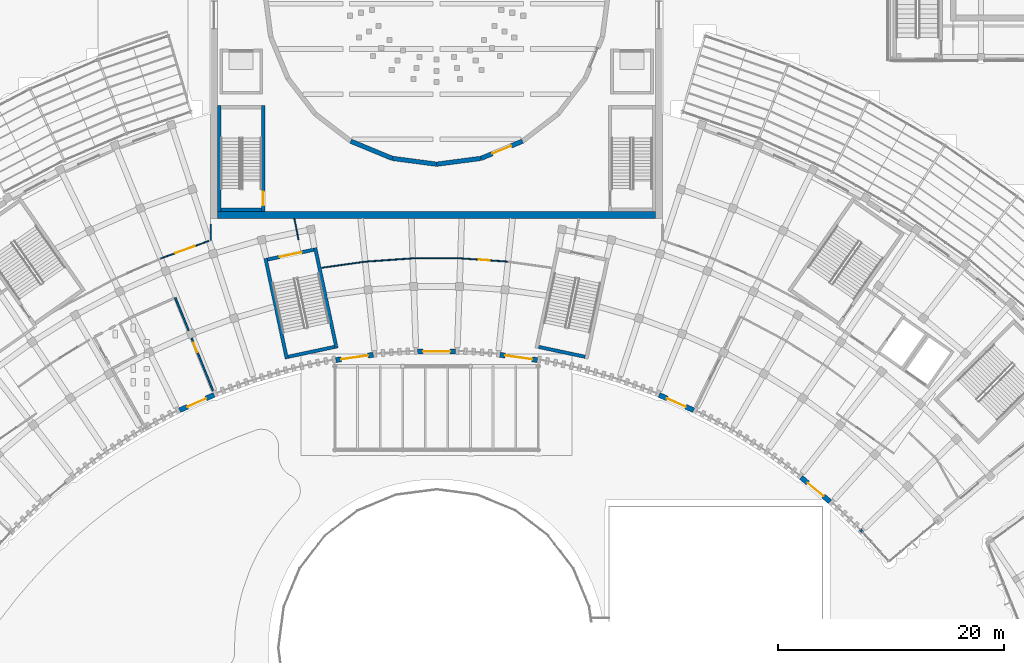
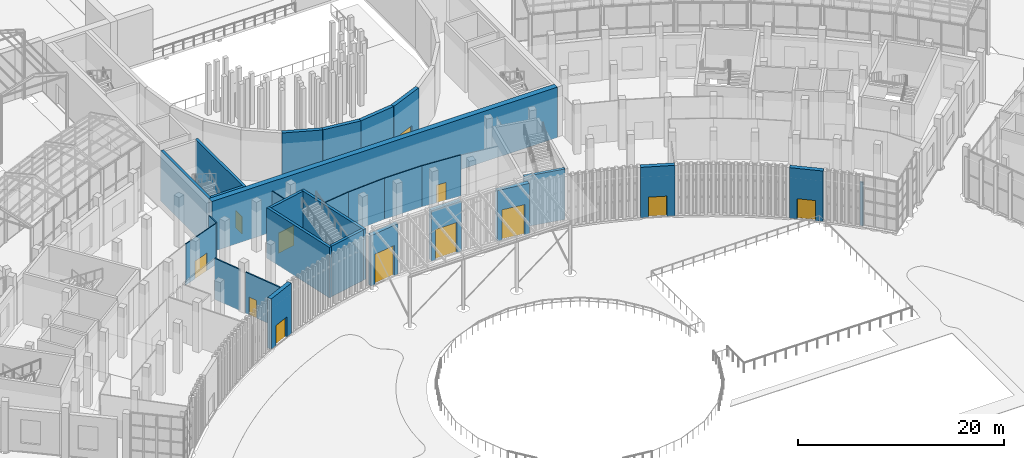
# One storey, part 92 of 155: 29 walls, 12 doors, 12 openings.
"""IFC4 building model written with IfcOpenShell, lengths in metres."""

from ifc_helpers import new_model, si_unit, direction, frame, frame_2d, origin, place, context, subcontext, project, spatial, rectangle, extrude, material, layer, layer_set, type_object, element, fill, save


model = new_model("IFC4")

# Units and contexts
model_context = context("Model", 3, precision=1e-05, world=origin(), true_north=direction((0.0, 1.0)))
body_context = subcontext(model_context, "Body", "Model", "MODEL_VIEW")
ifc_project = project(units=[si_unit("LENGTHUNIT", "METRE"), si_unit("AREAUNIT", "SQUARE_METRE"), si_unit("VOLUMEUNIT", "CUBIC_METRE"), si_unit("PLANEANGLEUNIT", "RADIAN"), si_unit("MASSUNIT", "GRAM", prefix="KILO")], contexts=[model_context])

# Site, building, storey
site_placement = place(None, origin())
site = spatial("IfcSite", under=ifc_project, at=site_placement, CompositionType="ELEMENT")
building_placement = place(site_placement, origin())
building = spatial("IfcBuilding", under=site, at=building_placement, Name="Lunette Opera House", CompositionType="ELEMENT")
storey_placement = place(building_placement, origin())
storey = spatial("IfcBuildingStorey", under=building, at=storey_placement, Name="L00", CompositionType="ELEMENT", Elevation=0.0)

# Wall
ifc_material_1 = material(Name="Plastered clay blockwork", Category="masonry")
ifc_layer_1 = layer(ifc_material_1, 0.14990234375)
ifc_layer_set_1 = layer_set([ifc_layer_1], Name="Plastered clay blockwork")
wall_type_1 = type_object("IfcWallType", Name="BLOCK PARTITION 150", PredefinedType="PARTITIONING", material=ifc_layer_set_1)
wall_1_placement = place(storey_placement, frame((74.0419921875, 54.06201171875, 0.0), z_axis=(0.0, 0.0, 1.0), x_axis=(-0.376177148794, 0.926547760628, 0.0)))
element("IfcWall", 1, at=wall_1_placement, inside=storey, type_object=wall_type_1, Name="Partition Public WC Foyer", PredefinedType="PARTITIONING", context=body_context, shape_type="SweptSolid", body=[
    extrude(rectangle(XDim=3.14501953125, YDim=0.14990234375, at=frame_2d((1.572509765625, 0.0))), origin(), (0.0, 0.0, 1.0), 4.8798828125),
])

# Wall, opening, door
wall_2_placement = place(storey_placement, frame((76.2060546875, 48.73388671875, 0.0), z_axis=(0.0, 0.0, 1.0), x_axis=(-0.37631220039, 0.926492918396, 0.0)))
wall_2 = element("IfcWall", 2, at=wall_2_placement, inside=storey, type_object=wall_type_1, Name="Partition Public WC Foyer", PredefinedType="PARTITIONING", context=body_context, shape_type="SweptSolid", body=[
    extrude(rectangle(XDim=5.04931640625, YDim=0.14990234375, at=frame_2d((2.524658203125, 0.0))), origin(), (0.0, 0.0, 1.0), 4.8798828125),
])
opening_1_placement = place(wall_2_placement, frame((3.696044921875, 0.0, 0.0)))
opening_1 = element("IfcOpeningElement", 3, at=opening_1_placement, cuts=wall_2, Name="Opening FC-D3021", PredefinedType="OPENING", context=body_context, shape_type="SweptSolid", body=[
    extrude(rectangle(XDim=0.89990234375, YDim=2.10009765625, at=frame_2d((0.449951171875, 1.050048828125))), frame((0.0, 0.0869140625, 0.0), z_axis=(0.0, -1.0, 0.0), x_axis=(1.0, 0.0, 0.0)), (0.0, 0.0, 1.0), 0.173828125),
])
ifc_material_2 = material(Name="Timber", Category="wood")
door_type_1 = type_object("IfcDoorType", Name="FLUSH DOOR 900 X 2100", OperationType="SINGLE_SWING_LEFT", PredefinedType="DOOR", material=ifc_material_2)
door_1_placement = place(opening_1_placement, origin())
door_1 = element("IfcDoor", 4, at=door_1_placement, inside=storey, type_object=door_type_1, Name="Public WC Foyer door", OperationType="SINGLE_SWING_RIGHT", OverallHeight=2.10009765625, OverallWidth=0.89990234375, PredefinedType="DOOR", context=body_context, shape_type="SweptSolid", body=[
    extrude(rectangle(XDim=0.89990234375, YDim=2.10009765625, at=frame_2d((0.449951171875, 1.050048828125))), frame((0.0, 0.02490234375, 0.0), z_axis=(0.0, -1.0, 0.0), x_axis=(1.0, 0.0, 0.0)), (0.0, 0.0, 1.0), 0.050048828125),
])
fill(opening_1, door_1)

# Wall
ifc_material_3 = material(Name="Insulated aluminium sandwich panel", Category="aluminium")
ifc_layer_2 = layer(ifc_material_3, 0.179931640625)
ifc_layer_set_2 = layer_set([ifc_layer_2], Name="Insulated aluminium sandwich panel")
wall_type_2 = type_object("IfcWallType", Name="CURTAIN WALL INFILL 180", PredefinedType="SOLIDWALL", material=ifc_layer_set_2)
wall_3_placement = place(storey_placement, frame((133.72607421875, 36.222900390625, 0.0), z_axis=(0.0, 0.0, 1.0), x_axis=(-0.668522807688, 0.743691640131, 0.0)))
element("IfcWall", 5, at=wall_3_placement, inside=storey, type_object=wall_type_2, Name="Curtain Wall Infill 180 IN7 L00", PredefinedType="SOLIDWALL", context=body_context, shape_type="SweptSolid", body=[
    extrude(rectangle(XDim=0.305419921875, YDim=0.179931640625, at=frame_2d((0.15283203125, 0.0))), origin(), (0.0, 0.0, 1.0), 5.14990234375),
])

# Wall, opening, door
ifc_material_4 = material(Name="Clinker brick", Category="masonry")
ifc_layer_3 = layer(ifc_material_4, 0.449951171875)
ifc_layer_set_3 = layer_set([ifc_layer_3], Name="Clinker brick")
wall_type_3 = type_object("IfcWallType", Name="ENTRANCE PORTAL WALL 450", PredefinedType="SOLIDWALL", material=ifc_layer_set_3)
wall_4_placement = place(storey_placement, frame((73.240966796875, 47.0048828125, 0.0), z_axis=(0.0, 0.0, 1.0), x_axis=(0.913501326736, 0.406835748247, 0.0)))
wall_4 = element("IfcWall", 6, at=wall_4_placement, inside=storey, type_object=wall_type_3, Name="Entrance Portal Wall 450 PW4 L00", PredefinedType="SOLIDWALL", context=body_context, shape_type="SweptSolid", body=[
    extrude(rectangle(XDim=3.345458984375, YDim=0.449951171875, at=frame_2d((1.6728515625, 0.0))), origin(), (0.0, 0.0, 1.0), 6.0),
])
opening_2_placement = place(wall_4_placement, frame((0.77294921875, 0.0, 0.0)))
opening_2 = element("IfcOpeningElement", 7, at=opening_2_placement, cuts=wall_4, Name="Opening FC-D2002", PredefinedType="OPENING", context=body_context, shape_type="SweptSolid", body=[
    extrude(rectangle(XDim=1.800048828125, YDim=2.39990234375, at=frame_2d((0.89990234375, 1.199951171875))), frame((0.0, 0.237060546875, 0.0), z_axis=(0.0, -1.0, 0.0), x_axis=(1.0, 0.0, 0.0)), (0.0, 0.0, 1.0), 0.473876953125),
])
ifc_material_5 = material(Name="Powder-coated steel", Category="steel")
door_type_2 = type_object("IfcDoorType", Name="EXIT DOUBLE DOOR 1800 X 2400", OperationType="DOUBLE_DOOR_DOUBLE_SWING", PredefinedType="DOOR", material=ifc_material_5)
door_2_placement = place(opening_2_placement, origin())
door_2 = element("IfcDoor", 8, at=door_2_placement, inside=storey, type_object=door_type_2, Name="Exit Double Door 1800 X 2400 PW4 L00", OperationType="DOUBLE_DOOR_DOUBLE_SWING", OverallHeight=2.39990234375, OverallWidth=1.800048828125, PredefinedType="DOOR", context=body_context, shape_type="SweptSolid", body=[
    extrude(rectangle(XDim=1.800048828125, YDim=2.39990234375, at=frame_2d((0.89990234375, 1.199951171875))), frame((0.0, 0.02490234375, 0.0), z_axis=(0.0, -1.0, 0.0), x_axis=(1.0, 0.0, 0.0)), (0.0, 0.0, 1.0), 0.050048828125),
])
fill(opening_2, door_2)

wall_5_placement = place(storey_placement, frame((87.0791015625, 51.45703125, 0.0), z_axis=(0.0, 0.0, 1.0), x_axis=(0.9902493448, 0.13930626376, 0.0)))
wall_5 = element("IfcWall", 9, at=wall_5_placement, inside=storey, type_object=wall_type_3, Name="Entrance Portal Wall 450 PW2 L00", PredefinedType="SOLIDWALL", context=body_context, shape_type="SweptSolid", body=[
    extrude(rectangle(XDim=3.345703125, YDim=0.449951171875, at=frame_2d((1.6728515625, 0.0))), origin(), (0.0, 0.0, 1.0), 6.0),
])
opening_3_placement = place(wall_5_placement, frame((0.472900390625, 0.0, 0.0)))
opening_3 = element("IfcOpeningElement", 10, at=opening_3_placement, cuts=wall_5, Name="Opening FC-D2003", PredefinedType="OPENING", context=body_context, shape_type="SweptSolid", body=[
    extrude(rectangle(XDim=2.39990234375, YDim=3.60009765625, at=frame_2d((1.199951171875, 1.800048828125))), frame((0.0, 0.237060546875, 0.0), z_axis=(0.0, -1.0, 0.0), x_axis=(1.0, 0.0, 0.0)), (0.0, 0.0, 1.0), 0.473876953125),
])
ifc_material_6 = material(Name="Aluminium", Category="aluminium")
door_type_3 = type_object("IfcDoorType", Name="ENTRANCE DOUBLE DOOR 2400 X 3600", OperationType="DOUBLE_DOOR_DOUBLE_SWING", PredefinedType="DOOR", material=ifc_material_6)
door_3_placement = place(opening_3_placement, origin())
door_3 = element("IfcDoor", 11, at=door_3_placement, inside=storey, type_object=door_type_3, Name="Entrance Double Door 2400 X 3600 PW2 L00", OperationType="DOUBLE_DOOR_DOUBLE_SWING", OverallHeight=3.60009765625, OverallWidth=2.39990234375, PredefinedType="DOOR", context=body_context, shape_type="SweptSolid", body=[
    extrude(rectangle(XDim=2.39990234375, YDim=3.60009765625, at=frame_2d((1.199951171875, 1.800048828125))), frame((0.0, 0.02490234375, 0.0), z_axis=(0.0, -1.0, 0.0), x_axis=(1.0, 0.0, 0.0)), (0.0, 0.0, 1.0), 0.050048828125),
])
fill(opening_3, door_3)

wall_6_placement = place(storey_placement, frame((94.326904296875, 52.197998046875, 0.0), z_axis=(0.0, 0.0, 1.0), x_axis=(1.0, 0.0, 0.0)))
wall_6 = element("IfcWall", 12, at=wall_6_placement, inside=storey, type_object=wall_type_3, Name="Entrance Portal Wall 450 PW1 L00", PredefinedType="SOLIDWALL", context=body_context, shape_type="SweptSolid", body=[
    extrude(rectangle(XDim=3.34619140625, YDim=0.449951171875, at=frame_2d((1.673095703125, 0.0))), origin(), (0.0, 0.0, 1.0), 6.0),
])
opening_4_placement = place(wall_6_placement, frame((0.472900390625, 0.0, 0.0)))
opening_4 = element("IfcOpeningElement", 13, at=opening_4_placement, cuts=wall_6, Name="Opening FC-D2004", PredefinedType="OPENING", context=body_context, shape_type="SweptSolid", body=[
    extrude(rectangle(XDim=2.39990234375, YDim=3.60009765625, at=frame_2d((1.199951171875, 1.800048828125))), frame((0.0, 0.237060546875, 0.0), z_axis=(0.0, -1.0, 0.0), x_axis=(1.0, 0.0, 0.0)), (0.0, 0.0, 1.0), 0.473876953125),
])
door_4_placement = place(opening_4_placement, origin())
door_4 = element("IfcDoor", 14, at=door_4_placement, inside=storey, type_object=door_type_3, Name="Entrance Double Door 2400 X 3600 PW1 L00", OperationType="DOUBLE_DOOR_DOUBLE_SWING", OverallHeight=3.60009765625, OverallWidth=2.39990234375, PredefinedType="DOOR", context=body_context, shape_type="SweptSolid", body=[
    extrude(rectangle(XDim=2.39990234375, YDim=3.60009765625, at=frame_2d((1.199951171875, 1.800048828125))), frame((0.0, 0.02490234375, 0.0), z_axis=(0.0, -1.0, 0.0), x_axis=(1.0, 0.0, 0.0)), (0.0, 0.0, 1.0), 0.050048828125),
])
fill(opening_4, door_4)

wall_7_placement = place(storey_placement, frame((101.60791015625, 51.923095703125, 0.0), z_axis=(0.0, 0.0, 1.0), x_axis=(0.9902493448, -0.13930626376, 0.0)))
wall_7 = element("IfcWall", 15, at=wall_7_placement, inside=storey, type_object=wall_type_3, Name="Entrance Portal Wall 450 PW3 L00", PredefinedType="SOLIDWALL", context=body_context, shape_type="SweptSolid", body=[
    extrude(rectangle(XDim=3.345703125, YDim=0.449951171875, at=frame_2d((1.6728515625, 0.0))), origin(), (0.0, 0.0, 1.0), 6.0),
])
opening_5_placement = place(wall_7_placement, frame((0.472900390625, 0.0, 0.0)))
opening_5 = element("IfcOpeningElement", 16, at=opening_5_placement, cuts=wall_7, Name="Opening FC-D2005", PredefinedType="OPENING", context=body_context, shape_type="SweptSolid", body=[
    extrude(rectangle(XDim=2.39990234375, YDim=3.60009765625, at=frame_2d((1.199951171875, 1.800048828125))), frame((0.0, 0.237060546875, 0.0), z_axis=(0.0, -1.0, 0.0), x_axis=(1.0, 0.0, 0.0)), (0.0, 0.0, 1.0), 0.473876953125),
])
door_5_placement = place(opening_5_placement, origin())
door_5 = element("IfcDoor", 17, at=door_5_placement, inside=storey, type_object=door_type_3, Name="Entrance Double Door 2400 X 3600 PW3 L00", OperationType="DOUBLE_DOOR_DOUBLE_SWING", OverallHeight=3.60009765625, OverallWidth=2.39990234375, PredefinedType="DOOR", context=body_context, shape_type="SweptSolid", body=[
    extrude(rectangle(XDim=2.39990234375, YDim=3.60009765625, at=frame_2d((1.199951171875, 1.800048828125))), frame((0.0, 0.02490234375, 0.0), z_axis=(0.0, -1.0, 0.0), x_axis=(1.0, 0.0, 0.0)), (0.0, 0.0, 1.0), 0.050048828125),
])
fill(opening_5, door_5)

wall_8_placement = place(storey_placement, frame((115.702880859375, 48.365966796875, 0.0), z_axis=(0.0, 0.0, 1.0), x_axis=(0.913501326736, -0.406835748247, 0.0)))
wall_8 = element("IfcWall", 18, at=wall_8_placement, inside=storey, type_object=wall_type_3, Name="Entrance Portal Wall 450 PW5 L00", PredefinedType="SOLIDWALL", context=body_context, shape_type="SweptSolid", body=[
    extrude(rectangle(XDim=3.345458984375, YDim=0.449951171875, at=frame_2d((1.6728515625, 0.0))), origin(), (0.0, 0.0, 1.0), 6.0),
])
opening_6_placement = place(wall_8_placement, frame((0.77294921875, 0.0, 0.0)))
opening_6 = element("IfcOpeningElement", 19, at=opening_6_placement, cuts=wall_8, Name="Opening FC-D2006", PredefinedType="OPENING", context=body_context, shape_type="SweptSolid", body=[
    extrude(rectangle(XDim=1.800048828125, YDim=2.39990234375, at=frame_2d((0.89990234375, 1.199951171875))), frame((0.0, 0.237060546875, 0.0), z_axis=(0.0, -1.0, 0.0), x_axis=(1.0, 0.0, 0.0)), (0.0, 0.0, 1.0), 0.473876953125),
])
door_6_placement = place(opening_6_placement, origin())
door_6 = element("IfcDoor", 20, at=door_6_placement, inside=storey, type_object=door_type_2, Name="Exit Double Door 1800 X 2400 PW5 L00", OperationType="DOUBLE_DOOR_DOUBLE_SWING", OverallHeight=2.39990234375, OverallWidth=1.800048828125, PredefinedType="DOOR", context=body_context, shape_type="SweptSolid", body=[
    extrude(rectangle(XDim=1.800048828125, YDim=2.39990234375, at=frame_2d((0.89990234375, 1.199951171875))), frame((0.0, 0.02490234375, 0.0), z_axis=(0.0, -1.0, 0.0), x_axis=(1.0, 0.0, 0.0)), (0.0, 0.0, 1.0), 0.050048828125),
])
fill(opening_6, door_6)

wall_9_placement = place(storey_placement, frame((128.27099609375, 41.06103515625, 0.0), z_axis=(0.0, 0.0, 1.0), x_axis=(0.766111561279, -0.642707612896, 0.0)))
wall_9 = element("IfcWall", 21, at=wall_9_placement, inside=storey, type_object=wall_type_3, Name="Entrance Portal Wall 450 PW7 L00", PredefinedType="SOLIDWALL", context=body_context, shape_type="SweptSolid", body=[
    extrude(rectangle(XDim=3.345458984375, YDim=0.449951171875, at=frame_2d((1.6728515625, 0.0))), origin(), (0.0, 0.0, 1.0), 6.0),
])
opening_7_placement = place(wall_9_placement, frame((0.77294921875, 0.0, 0.0)))
opening_7 = element("IfcOpeningElement", 22, at=opening_7_placement, cuts=wall_9, Name="Opening FC-D2007", PredefinedType="OPENING", context=body_context, shape_type="SweptSolid", body=[
    extrude(rectangle(XDim=1.800048828125, YDim=2.39990234375, at=frame_2d((0.89990234375, 1.199951171875))), frame((0.0, 0.237060546875, 0.0), z_axis=(0.0, -1.0, 0.0), x_axis=(1.0, 0.0, 0.0)), (0.0, 0.0, 1.0), 0.473876953125),
])
door_7_placement = place(opening_7_placement, origin())
door_7 = element("IfcDoor", 23, at=door_7_placement, inside=storey, type_object=door_type_2, Name="Exit Double Door 1800 X 2400 PW7 L00", OperationType="DOUBLE_DOOR_DOUBLE_SWING", OverallHeight=2.39990234375, OverallWidth=1.800048828125, PredefinedType="DOOR", context=body_context, shape_type="SweptSolid", body=[
    extrude(rectangle(XDim=1.800048828125, YDim=2.39990234375, at=frame_2d((0.89990234375, 1.199951171875))), frame((0.0, 0.02490234375, 0.0), z_axis=(0.0, -1.0, 0.0), x_axis=(1.0, 0.0, 0.0)), (0.0, 0.0, 1.0), 0.050048828125),
])
fill(opening_7, door_7)

# Walls
ifc_material_7 = material(Name="Concrete C35/45", Category="concrete")
ifc_layer_4 = layer(ifc_material_7, 0.300048828125)
ifc_layer_set_4 = layer_set([ifc_layer_4], Name="Concrete C35/45")
wall_type_4 = type_object("IfcWallType", Name="RC STAIR ENCLOSURE WALL 300", PredefinedType="SOLIDWALL", material=ifc_layer_set_4)
wall_10_placement = place(storey_placement, frame((82.85400390625, 51.7470703125, 0.0), z_axis=(0.0, 0.0, 1.0), x_axis=(0.978153236239, 0.207885176084, 0.0)))
element("IfcWall", 24, at=wall_10_placement, inside=storey, type_object=wall_type_4, Name="GS1 enclosure wall 1", PredefinedType="SOLIDWALL", context=body_context, shape_type="SweptSolid", body=[
    extrude(rectangle(XDim=4.19970703125, YDim=0.300048828125, at=frame_2d((2.099853515625, 0.0))), origin(), (0.0, 0.0, 1.0), 6.0),
])
wall_11_placement = place(storey_placement, frame((87.139892578125, 52.5048828125, 0.0), z_axis=(0.0, 0.0, 1.0), x_axis=(-0.207874476801, 0.978155510077, 0.0)))
element("IfcWall", 25, at=wall_11_placement, inside=storey, type_object=wall_type_4, Name="GS1 enclosure wall 2", PredefinedType="SOLIDWALL", context=body_context, shape_type="SweptSolid", body=[
    extrude(rectangle(XDim=9.100830078125, YDim=0.300048828125, at=frame_2d((4.55029296875, 0.0))), origin(), (0.0, 0.0, 1.0), 6.0),
])

# Wall, opening, door
wall_12_placement = place(storey_placement, frame((85.133056640625, 61.22900390625, 0.0), z_axis=(0.0, 0.0, 1.0), x_axis=(-0.978155748334, -0.207873355681, 0.0)))
wall_12 = element("IfcWall", 26, at=wall_12_placement, inside=storey, type_object=wall_type_4, Name="GS1 enclosure wall 3", PredefinedType="SOLIDWALL", context=body_context, shape_type="SweptSolid", body=[
    extrude(rectangle(XDim=4.199951171875, YDim=0.300048828125, at=frame_2d((2.10009765625, 0.0))), origin(), (0.0, 0.0, 1.0), 6.0),
])
opening_8_placement = place(wall_12_placement, frame((1.10009765625, 0.0, 0.0)))
opening_8 = element("IfcOpeningElement", 27, at=opening_8_placement, cuts=wall_12, Name="Opening FC-D7001", PredefinedType="OPENING", context=body_context, shape_type="SweptSolid", body=[
    extrude(rectangle(XDim=2.0, YDim=2.39990234375, at=frame_2d((1.0, 1.199951171875))), frame((0.0, 0.162109375, 0.0), z_axis=(0.0, -1.0, 0.0), x_axis=(1.0, 0.0, 0.0)), (0.0, 0.0, 1.0), 0.323974609375),
])
ifc_material_8 = material(Name="Glass", Category="glass")
door_type_4 = type_object("IfcDoorType", Name="GRAND STAIR DOOR 2000 X 2400", OperationType="DOUBLE_DOOR_SINGLE_SWING", PredefinedType="DOOR", material=ifc_material_8)
door_8_placement = place(opening_8_placement, origin())
door_8 = element("IfcDoor", 28, at=door_8_placement, inside=storey, type_object=door_type_4, Name="GS1 stair door", OperationType="DOUBLE_DOOR_SINGLE_SWING", OverallHeight=2.39990234375, OverallWidth=2.0, PredefinedType="DOOR", context=body_context, shape_type="SweptSolid", body=[
    extrude(rectangle(XDim=2.0, YDim=2.39990234375, at=frame_2d((1.0, 1.199951171875))), frame((0.0, 0.02490234375, 0.0), z_axis=(0.0, -1.0, 0.0), x_axis=(1.0, 0.0, 0.0)), (0.0, 0.0, 1.0), 0.050048828125),
])
fill(opening_8, door_8)

# Walls
wall_13_placement = place(storey_placement, frame((80.846923828125, 60.470947265625, 0.0), z_axis=(0.0, 0.0, 1.0), x_axis=(0.207905598736, -0.978148895626, 0.0)))
element("IfcWall", 29, at=wall_13_placement, inside=storey, type_object=wall_type_4, Name="GS1 enclosure wall 4", PredefinedType="SOLIDWALL", context=body_context, shape_type="SweptSolid", body=[
    extrude(rectangle(XDim=9.100830078125, YDim=0.300048828125, at=frame_2d((4.55029296875, 0.0))), origin(), (0.0, 0.0, 1.0), 6.0),
])
wall_14_placement = place(storey_placement, frame((105.0380859375, 52.6201171875, 0.0), z_axis=(0.0, 0.0, 1.0), x_axis=(0.978153236239, -0.207885176084, 0.0)))
element("IfcWall", 30, at=wall_14_placement, inside=storey, type_object=wall_type_4, Name="GS2 enclosure wall 1", PredefinedType="SOLIDWALL", context=body_context, shape_type="SweptSolid", body=[
    extrude(rectangle(XDim=4.19970703125, YDim=0.300048828125, at=frame_2d((2.099853515625, 0.0))), origin(), (0.0, 0.0, 1.0), 6.0),
])

# Wall, opening, door
wall_15_placement = place(storey_placement, frame((80.64990234375, 64.60009765625, 0.0), z_axis=(0.0, 0.0, 1.0), x_axis=(0.0, 1.0, 0.0)))
wall_15 = element("IfcWall", 31, at=wall_15_placement, inside=storey, type_object=wall_type_4, Name="ST7 enclosure wall 1", PredefinedType="SOLIDWALL", context=body_context, shape_type="SweptSolid", body=[
    extrude(rectangle(XDim=9.39990234375, YDim=0.300048828125, at=frame_2d((4.699951171875, 0.0))), origin(), (0.0, 0.0, 1.0), 6.0),
])
opening_9_placement = place(wall_15_placement, frame((0.56005859375, 0.0, 0.0)))
opening_9 = element("IfcOpeningElement", 32, at=opening_9_placement, cuts=wall_15, Name="Opening AU-D7008", PredefinedType="OPENING", context=body_context, shape_type="SweptSolid", body=[
    extrude(rectangle(XDim=1.199951171875, YDim=2.10009765625, at=frame_2d((0.60009765625, 1.050048828125))), frame((0.0, 0.162109375, 0.0), z_axis=(0.0, -1.0, 0.0), x_axis=(1.0, 0.0, 0.0)), (0.0, 0.0, 1.0), 0.323974609375),
])
ifc_material_9 = material(Name="Steel", Category="steel")
door_type_5 = type_object("IfcDoorType", Name="FIRE DOOR 1200 X 2100", OperationType="SINGLE_SWING_LEFT", PredefinedType="DOOR", material=ifc_material_9)
door_9_placement = place(opening_9_placement, origin())
door_9 = element("IfcDoor", 33, at=door_9_placement, inside=storey, type_object=door_type_5, Name="ST7 stair door", OperationType="SINGLE_SWING_LEFT", OverallHeight=2.10009765625, OverallWidth=1.199951171875, PredefinedType="DOOR", context=body_context, shape_type="SweptSolid", body=[
    extrude(rectangle(XDim=1.199951171875, YDim=2.10009765625, at=frame_2d((0.60009765625, 1.050048828125))), frame((0.0, 0.02490234375, 0.0), z_axis=(0.0, -1.0, 0.0), x_axis=(1.0, 0.0, 0.0)), (0.0, 0.0, 1.0), 0.050048828125),
])
fill(opening_9, door_9)

# Walls
wall_16_placement = place(storey_placement, frame((76.75, 74.0, 0.0), z_axis=(0.0, 0.0, 1.0), x_axis=(0.0, -1.0, 0.0)))
element("IfcWall", 34, at=wall_16_placement, inside=storey, type_object=wall_type_4, Name="ST7 enclosure wall 3", PredefinedType="SOLIDWALL", context=body_context, shape_type="SweptSolid", body=[
    extrude(rectangle(XDim=9.39990234375, YDim=0.300048828125, at=frame_2d((4.699951171875, 0.0))), origin(), (0.0, 0.0, 1.0), 6.0),
])
wall_17_placement = place(storey_placement, frame((76.89990234375, 64.75, 0.0), z_axis=(0.0, 0.0, 1.0), x_axis=(1.0, 0.0, 0.0)))
element("IfcWall", 35, at=wall_17_placement, inside=storey, type_object=wall_type_4, Name="ST7 enclosure wall 4", PredefinedType="SOLIDWALL", context=body_context, shape_type="SweptSolid", body=[
    extrude(rectangle(XDim=3.60009765625, YDim=0.300048828125, at=frame_2d((1.800048828125, 0.0))), origin(), (0.0, 0.0, 1.0), 6.0),
])
ifc_material_10 = material(Name="Concrete C35/45", Category="concrete")
ifc_layer_5 = layer(ifc_material_10, 0.39990234375)
ifc_layer_set_5 = layer_set([ifc_layer_5], Name="Concrete C35/45")
wall_type_5 = type_object("IfcWallType", Name="RC WALL 400", PredefinedType="SHEAR", material=ifc_layer_set_5)
wall_18_placement = place(storey_placement, frame((88.39892578125, 70.8349609375, 0.0), z_axis=(0.0, 0.0, 1.0), x_axis=(0.923868391388, -0.38271032831, 0.0)))
element("IfcWall", 36, at=wall_18_placement, inside=storey, type_object=wall_type_5, Name="wall-AU-L00-HW06", PredefinedType="SHEAR", context=body_context, shape_type="SweptSolid", body=[
    extrude(rectangle(XDim=3.96923828125, YDim=0.39990234375, at=frame_2d((1.984619140625, 0.0))), origin(), (0.0, 0.0, 1.0), 6.0),
])
for number, where, z_axis, x_axis, name in (
    (37, (92.06591796875, 69.31591796875, 0.0), (0.0, 0.0, 1.0), (0.991448430824, -0.13049907669, 0.0), "wall-AU-L00-HW07"),
    (38, (96.0, 68.798095703125, 0.0), (0.0, 0.0, 1.0), (0.991448430824, 0.13049907669, 0.0), "wall-AU-L00-HW08"),
):
    element("IfcWall", number, at=place(storey_placement, frame(where, z_axis=z_axis, x_axis=x_axis)), inside=storey, type_object=wall_type_5, Name=name, PredefinedType="SHEAR", context=body_context, shape_type="SweptSolid", body=[
        extrude(rectangle(XDim=3.968017578125, YDim=0.39990234375, at=frame_2d((1.98388671875, 0.0))), origin(), (0.0, 0.0, 1.0), 6.0),
    ])

# Wall, opening, door
wall_19_placement = place(storey_placement, frame((99.93408203125, 69.31591796875, 0.0), z_axis=(0.0, 0.0, 1.0), x_axis=(0.923868391388, 0.38271032831, 0.0)))
wall_19 = element("IfcWall", 39, at=wall_19_placement, inside=storey, type_object=wall_type_5, Name="wall-AU-L00-HW09", PredefinedType="SHEAR", context=body_context, shape_type="SweptSolid", body=[
    extrude(rectangle(XDim=3.96923828125, YDim=0.39990234375, at=frame_2d((1.984619140625, 0.0))), origin(), (0.0, 0.0, 1.0), 6.0),
])
opening_10_placement = place(wall_19_placement, frame((1.0849609375, 0.0, 0.0)))
opening_10 = element("IfcOpeningElement", 40, at=opening_10_placement, cuts=wall_19, Name="Opening AU-D3006", PredefinedType="OPENING", context=body_context, shape_type="SweptSolid", body=[
    extrude(rectangle(XDim=1.800048828125, YDim=2.10009765625, at=frame_2d((0.89990234375, 1.050048828125))), frame((0.0, 0.2119140625, 0.0), z_axis=(0.0, -1.0, 0.0), x_axis=(1.0, 0.0, 0.0)), (0.0, 0.0, 1.0), 0.423828125),
])
ifc_material_11 = material(Name="Timber", Category="wood")
door_type_6 = type_object("IfcDoorType", Name="SOUND LOCK DOOR 1800 X 2100", OperationType="DOUBLE_DOOR_SINGLE_SWING", PredefinedType="DOOR", material=ifc_material_11)
door_10_placement = place(opening_10_placement, origin())
door_10 = element("IfcDoor", 41, at=door_10_placement, inside=storey, type_object=door_type_6, Name="Auditorium Stalls door", OperationType="DOUBLE_DOOR_SINGLE_SWING", OverallHeight=2.10009765625, OverallWidth=1.800048828125, PredefinedType="DOOR", context=body_context, shape_type="SweptSolid", body=[
    extrude(rectangle(XDim=1.800048828125, YDim=2.10009765625, at=frame_2d((0.89990234375, 1.050048828125))), frame((0.0, 0.02490234375, 0.0), z_axis=(0.0, -1.0, 0.0), x_axis=(1.0, 0.0, 0.0)), (0.0, 0.0, 1.0), 0.050048828125),
])
fill(opening_10, door_10)

# Wall
ifc_material_12 = material(Name="Concrete C35/45", Category="concrete")
ifc_layer_6 = layer(ifc_material_12, 0.60009765625)
ifc_layer_set_6 = layer_set([ifc_layer_6], Name="Concrete C35/45")
wall_type_6 = type_object("IfcWallType", Name="RC WALL 600", PredefinedType="SHEAR", material=ifc_layer_set_6)
wall_20_placement = place(storey_placement, frame((76.60009765625, 64.300048828125, 0.0), z_axis=(0.0, 0.0, 1.0), x_axis=(1.0, 0.0, 0.0)))
element("IfcWall", 42, at=wall_20_placement, inside=storey, type_object=wall_type_6, Name="wall-AU-L00-WS", PredefinedType="SHEAR", context=body_context, shape_type="SweptSolid", body=[
    extrude(rectangle(XDim=38.7998046875, YDim=0.60009765625, at=frame_2d((19.39990234375, 0.0))), origin(), (0.0, 0.0, 1.0), 6.0),
])

# Wall, opening, door
ifc_material_13 = material(Name="Gypsum board on steel studs", Category="steel")
ifc_layer_7 = layer(ifc_material_13, 0.10009765625)
ifc_layer_set_7 = layer_set([ifc_layer_7], Name="Gypsum board on steel studs")
wall_type_7 = type_object("IfcWallType", Name="STUD PARTITION 100", PredefinedType="PARTITIONING", material=ifc_layer_set_7)
wall_21_placement = place(storey_placement, frame((75.85205078125, 62.009033203125, 0.0), z_axis=(0.0, 0.0, 1.0), x_axis=(-0.939639825715, -0.342165161771, 0.0)))
wall_21 = element("IfcWall", 43, at=wall_21_placement, inside=storey, type_object=wall_type_7, Name="Partition Main Foyer", PredefinedType="PARTITIONING", context=body_context, shape_type="SweptSolid", body=[
    extrude(rectangle(XDim=4.55078125, YDim=0.10009765625, at=frame_2d((2.275390625, 0.0))), origin(), (0.0, 0.0, 1.0), 4.8798828125),
])
opening_11_placement = place(wall_21_placement, frame((1.375, 0.0, 0.0)))
opening_11 = element("IfcOpeningElement", 44, at=opening_11_placement, cuts=wall_21, Name="Opening FC-D3015", PredefinedType="OPENING", context=body_context, shape_type="SweptSolid", body=[
    extrude(rectangle(XDim=1.800048828125, YDim=2.10009765625, at=frame_2d((0.89990234375, 1.050048828125))), frame((0.0, 0.06201171875, 0.0), z_axis=(0.0, -1.0, 0.0), x_axis=(1.0, 0.0, 0.0)), (0.0, 0.0, 1.0), 0.1240234375),
])
ifc_material_14 = material(Name="Timber", Category="wood")
door_type_7 = type_object("IfcDoorType", Name="DOUBLE FLUSH DOOR 1800 X 2100", OperationType="DOUBLE_DOOR_SINGLE_SWING", PredefinedType="DOOR", material=ifc_material_14)
door_11_placement = place(opening_11_placement, origin())
door_11 = element("IfcDoor", 45, at=door_11_placement, inside=storey, type_object=door_type_7, Name="Cloakroom door", OperationType="DOUBLE_DOOR_SINGLE_SWING", OverallHeight=2.10009765625, OverallWidth=1.800048828125, PredefinedType="DOOR", context=body_context, shape_type="SweptSolid", body=[
    extrude(rectangle(XDim=1.800048828125, YDim=2.10009765625, at=frame_2d((0.89990234375, 1.050048828125))), frame((0.0, 0.02490234375, 0.0), z_axis=(0.0, -1.0, 0.0), x_axis=(1.0, 0.0, 0.0)), (0.0, 0.0, 1.0), 0.050048828125),
])
fill(opening_11, door_11)

# Wall
wall_22_placement = place(storey_placement, frame((89.676025390625, 60.1689453125, 0.0), z_axis=(0.0, 0.0, 1.0), x_axis=(0.997574727451, 0.069603614502, 0.0)))
element("IfcWall", 46, at=wall_22_placement, inside=storey, type_object=wall_type_7, Name="Partition Stalls Entrance Hall", PredefinedType="PARTITIONING", context=body_context, shape_type="SweptSolid", body=[
    extrude(rectangle(XDim=4.22314453125, YDim=0.10009765625, at=frame_2d((2.111572265625, 0.0))), origin(), (0.0, 0.0, 1.0), 4.8798828125),
])

# Wall, opening, door
wall_23_placement = place(storey_placement, frame((98.111083984375, 60.462890625, 0.0), z_axis=(0.0, 0.0, 1.0), x_axis=(0.997574727451, -0.069603614502, 0.0)))
wall_23 = element("IfcWall", 47, at=wall_23_placement, inside=storey, type_object=wall_type_7, Name="Partition Stalls Entrance Hall", PredefinedType="PARTITIONING", context=body_context, shape_type="SweptSolid", body=[
    extrude(rectangle(XDim=4.22314453125, YDim=0.10009765625, at=frame_2d((2.111572265625, 0.0))), origin(), (0.0, 0.0, 1.0), 4.8798828125),
])
opening_12_placement = place(wall_23_placement, frame((1.612060546875, 0.0, 0.0)))
opening_12 = element("IfcOpeningElement", 48, at=opening_12_placement, cuts=wall_23, Name="Opening FC-D3020", PredefinedType="OPENING", context=body_context, shape_type="SweptSolid", body=[
    extrude(rectangle(XDim=1.0, YDim=2.10009765625, at=frame_2d((0.5, 1.050048828125))), frame((0.0, 0.06201171875, 0.0), z_axis=(0.0, -1.0, 0.0), x_axis=(1.0, 0.0, 0.0)), (0.0, 0.0, 1.0), 0.1240234375),
])
ifc_material_15 = material(Name="Timber", Category="wood")
door_type_8 = type_object("IfcDoorType", Name="FLUSH DOOR 1000 X 2100", OperationType="SINGLE_SWING_LEFT", PredefinedType="DOOR", material=ifc_material_15)
door_12_placement = place(opening_12_placement, origin())
door_12 = element("IfcDoor", 49, at=door_12_placement, inside=storey, type_object=door_type_8, Name="Stalls Entrance Hall door", OperationType="SINGLE_SWING_RIGHT", OverallHeight=2.10009765625, OverallWidth=1.0, PredefinedType="DOOR", context=body_context, shape_type="SweptSolid", body=[
    extrude(rectangle(XDim=1.0, YDim=2.10009765625, at=frame_2d((0.5, 1.050048828125))), frame((0.0, 0.02490234375, 0.0), z_axis=(0.0, -1.0, 0.0), x_axis=(1.0, 0.0, 0.0)), (0.0, 0.0, 1.0), 0.050048828125),
])
fill(opening_12, door_12)

# Walls
wall_24_placement = place(storey_placement, frame((93.889892578125, 60.462890625, 0.0), z_axis=(0.0, 0.0, 1.0), x_axis=(1.0, 0.0, 0.0)))
element("IfcWall", 50, at=wall_24_placement, inside=storey, type_object=wall_type_7, Name="Partition Stalls Entrance Hall", PredefinedType="PARTITIONING", context=body_context, shape_type="SweptSolid", body=[
    extrude(rectangle(XDim=4.22021484375, YDim=0.10009765625, at=frame_2d((2.110107421875, 0.0))), origin(), (0.0, 0.0, 1.0), 4.8798828125),
])
wall_25_placement = place(storey_placement, frame((85.8310546875, 59.6279296875, 0.0), z_axis=(0.0, 0.0, 1.0), x_axis=(0.990245330959, 0.139334792902, 0.0)))
element("IfcWall", 51, at=wall_25_placement, inside=storey, type_object=wall_type_7, Name="Partition Stalls Entrance Hall", PredefinedType="PARTITIONING", context=body_context, shape_type="SweptSolid", body=[
    extrude(rectangle(XDim=3.8828125, YDim=0.10009765625, at=frame_2d((1.94140625, 0.0))), origin(), (0.0, 0.0, 1.0), 4.8798828125),
])
wall_26_placement = place(storey_placement, frame((83.403076171875, 63.9990234375, 0.0), z_axis=(0.0, 0.0, 1.0), x_axis=(0.193228646848, -0.981153754535, 0.0)))
element("IfcWall", 52, at=wall_26_placement, inside=storey, type_object=wall_type_7, Name="Partition Stalls Entrance Hall", PredefinedType="PARTITIONING", context=body_context, shape_type="SweptSolid", body=[
    extrude(rectangle(XDim=1.919189453125, YDim=0.10009765625, at=frame_2d((0.95947265625, 0.0))), origin(), (0.0, 0.0, 1.0), 4.8798828125),
])
wall_27_placement = place(storey_placement, frame((76.0, 63.5, 0.0), z_axis=(0.0, 0.0, 1.0), x_axis=(0.0, -1.0, 0.0)))
element("IfcWall", 53, at=wall_27_placement, inside=storey, type_object=wall_type_7, Name="Partition Main Foyer", PredefinedType="PARTITIONING", context=body_context, shape_type="SweptSolid", body=[
    extrude(rectangle(XDim=1.448974609375, YDim=0.10009765625, at=frame_2d((0.724609375, 0.0))), origin(), (0.0, 0.0, 1.0), 4.8798828125),
])

save(model, "model.ifc")
